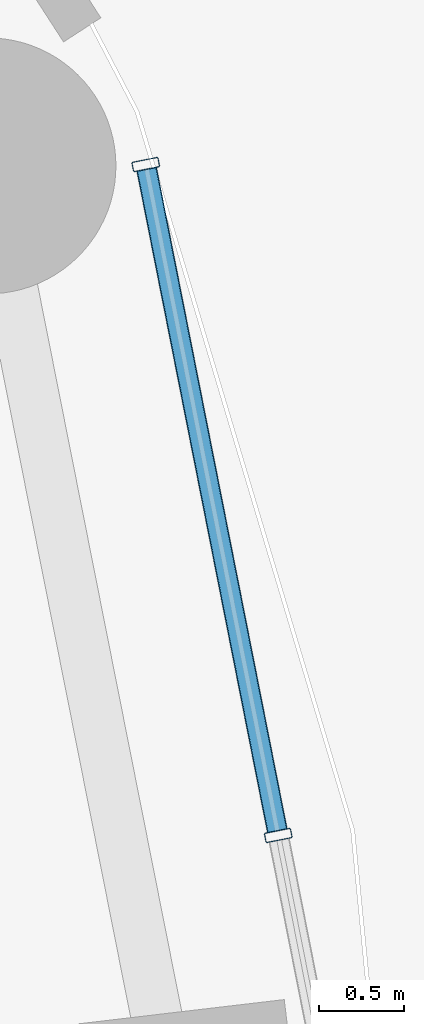
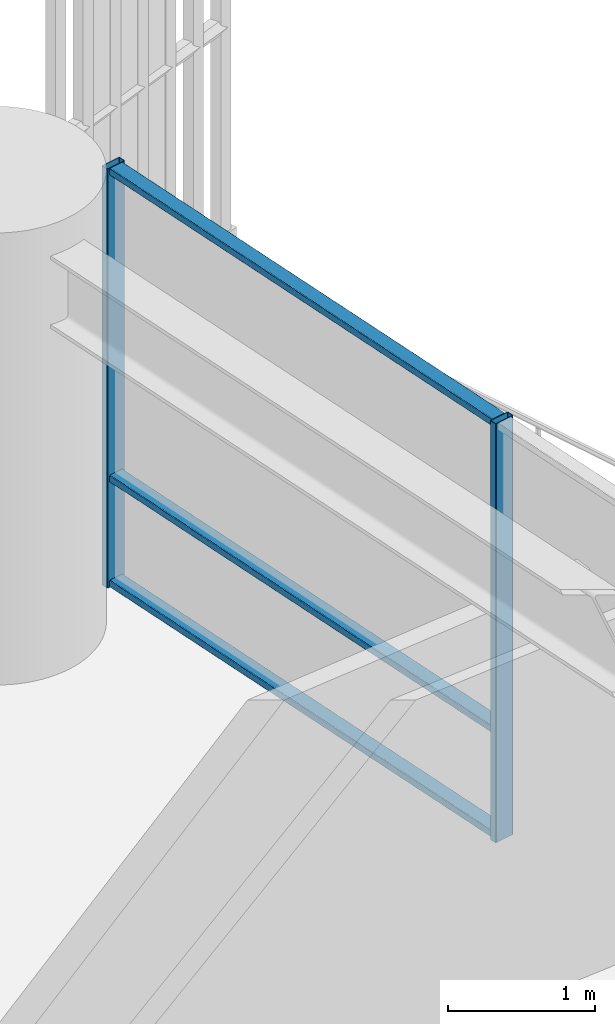
# One storey, part 20 of 33: 5 members, 1 element without a shape of its own.
"""IFC4 building model written with IfcOpenShell, lengths in metres."""

from ifc_helpers import new_model, si_unit, direction, frame, origin, origin_2d, place, context, subcontext, project, spatial, hollow_rectangle, extrude, material, layer, layer_set, material_profile, profile_set, type_object, element, aggregate, save


model = new_model("IFC4")

# Units and contexts
model_context = context("Model", 3, precision=1e-05, world=origin(), true_north=direction((0.0, 1.0)))
body_context = subcontext(model_context, "Body", "Model", "MODEL_VIEW")
ifc_project = project(units=[si_unit("LENGTHUNIT", "METRE"), si_unit("AREAUNIT", "SQUARE_METRE"), si_unit("VOLUMEUNIT", "CUBIC_METRE"), si_unit("PLANEANGLEUNIT", "RADIAN"), si_unit("MASSUNIT", "GRAM", prefix="KILO")], contexts=[model_context])

# Site, building, storey
site_placement = place(None, origin())
site = spatial("IfcSite", under=ifc_project, at=site_placement, CompositionType="ELEMENT")
building_placement = place(site_placement, origin())
building = spatial("IfcBuilding", under=site, at=building_placement, Name="Kelanora Arch Commons", CompositionType="ELEMENT")
storey_placement = place(building_placement, frame((0.0, 0.0, 45.0)))
storey = spatial("IfcBuildingStorey", under=building, at=storey_placement, Name="L11", CompositionType="ELEMENT", Elevation=45.0)

# Curtain wall, members
ifc_material_1 = material(Name="Terracotta ceramic-fritted low-E glass and aluminium", Category="masonry")
ifc_layer = layer(ifc_material_1, 0.159912109375)
ifc_layer_set = layer_set([ifc_layer], Name="Terracotta ceramic-fritted low-E glass and aluminium")
curtain_wall_type = type_object("IfcCurtainWallType", Name="CW-SYS-01", PredefinedType="NOTDEFINED", material=ifc_layer_set)
curtain_wall_placement = place(storey_placement, origin())
curtain_wall = element("IfcCurtainWall", 1, at=curtain_wall_placement, inside=storey, type_object=curtain_wall_type, Name="Unitised Curtain Wall L11-B00", PredefinedType="NOTDEFINED")
ifc_material_2 = material(Name="Powder-coated aluminium terracotta", Category="masonry")
ifc_material_profile_1 = material_profile(ifc_material_2, hollow_rectangle(XDim=0.159912109375, YDim=0.06005859375, WallThickness=0.0048828125, InnerFilletRadius=0.0048828125, OuterFilletRadius=0.010009765625, at=origin_2d()), Name="CWM160x60")
ifc_profile_set_1 = profile_set([ifc_material_profile_1], Name="Powder-coated aluminium terracotta")
member_type_1 = type_object("IfcMemberType", Name="CWM-STD", PredefinedType="MULLION", material=ifc_profile_set_1)
member_1_placement = place(storey_placement, frame((101.1484375, 62.3115234375, 0.0), z_axis=(0.0, 0.0, 1.0), x_axis=(-0.981052110579, -0.193744048498, 0.0)))
member_1 = element("IfcMember", 2, at=member_1_placement, type_object=member_type_1, Name="CW-01 mullion 2", PredefinedType="MULLION", context=body_context, shape_type="SweptSolid", body=[
    extrude(hollow_rectangle(XDim=0.159912109375, YDim=0.06005859375, WallThickness=0.0048828125, InnerFilletRadius=0.0048828125, OuterFilletRadius=0.010009765625, at=origin_2d()), origin(), (0.0, 0.0, 1.0), 3.47509765625),
])
member_2_placement = place(storey_placement, frame((100.371826171875, 66.243896484375, 0.0), z_axis=(0.0, 0.0, 1.0), x_axis=(-0.981052110579, -0.193744048498, 0.0)))
member_2 = element("IfcMember", 3, at=member_2_placement, type_object=member_type_1, Name="CW-01 mullion 3", PredefinedType="MULLION", context=body_context, shape_type="SweptSolid", body=[
    extrude(hollow_rectangle(XDim=0.159912109375, YDim=0.06005859375, WallThickness=0.0048828125, InnerFilletRadius=0.0048828125, OuterFilletRadius=0.010009765625, at=origin_2d()), origin(), (0.0, 0.0, 1.0), 3.47509765625),
])
ifc_material_profile_2 = material_profile(ifc_material_2, hollow_rectangle(XDim=0.1201171875, YDim=0.06005859375, WallThickness=0.0048828125, InnerFilletRadius=0.0048828125, OuterFilletRadius=0.010009765625, at=origin_2d()), Name="CWT120x60")
ifc_profile_set_2 = profile_set([ifc_material_profile_2], Name="Powder-coated aluminium terracotta")
member_type_2 = type_object("IfcMemberType", Name="CWT-STD", PredefinedType="USERDEFINED", material=ifc_profile_set_2)
member_3_placement = place(storey_placement, frame((101.142578125, 62.3408203125, 0.030029296875), z_axis=(-0.193725436624, 0.98105578598, 0.0), x_axis=(-0.98105578598, -0.193725436624, 0.0)))
member_3 = element("IfcMember", 4, at=member_3_placement, type_object=member_type_2, Name="CW-01 transom 2.1", ObjectType="TRANSOM", PredefinedType="USERDEFINED", context=body_context, shape_type="SweptSolid", body=[
    extrude(hollow_rectangle(XDim=0.1201171875, YDim=0.06005859375, WallThickness=0.0048828125, InnerFilletRadius=0.0048828125, OuterFilletRadius=0.010009765625, at=origin_2d()), origin(), (0.0, 0.0, 1.0), 3.9482421875),
])
member_4_placement = place(storey_placement, frame((101.142578125, 62.3408203125, 0.89990234375), z_axis=(-0.193725436624, 0.98105578598, 0.0), x_axis=(-0.98105578598, -0.193725436624, 0.0)))
member_4 = element("IfcMember", 5, at=member_4_placement, type_object=member_type_2, Name="CW-01 transom 2.2", ObjectType="TRANSOM", PredefinedType="USERDEFINED", context=body_context, shape_type="SweptSolid", body=[
    extrude(hollow_rectangle(XDim=0.1201171875, YDim=0.06005859375, WallThickness=0.0048828125, InnerFilletRadius=0.0048828125, OuterFilletRadius=0.010009765625, at=origin_2d()), origin(), (0.0, 0.0, 1.0), 3.9482421875),
])
member_5_placement = place(storey_placement, frame((101.142578125, 62.3408203125, 3.445068359375), z_axis=(-0.193725436624, 0.98105578598, 0.0), x_axis=(-0.98105578598, -0.193725436624, 0.0)))
member_5 = element("IfcMember", 6, at=member_5_placement, type_object=member_type_2, Name="CW-01 transom 2.3", ObjectType="TRANSOM", PredefinedType="USERDEFINED", context=body_context, shape_type="SweptSolid", body=[
    extrude(hollow_rectangle(XDim=0.1201171875, YDim=0.06005859375, WallThickness=0.0048828125, InnerFilletRadius=0.0048828125, OuterFilletRadius=0.010009765625, at=origin_2d()), origin(), (0.0, 0.0, 1.0), 3.9482421875),
])
aggregate(curtain_wall, [member_1, member_2, member_3, member_4, member_5])

save(model, "model.ifc")
